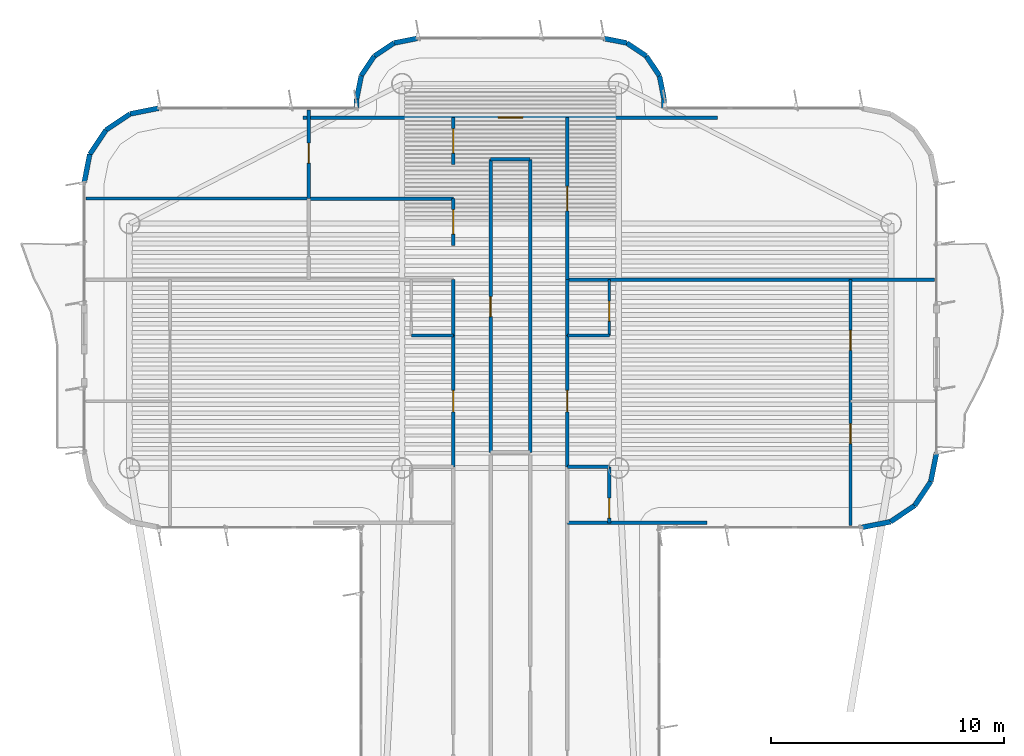
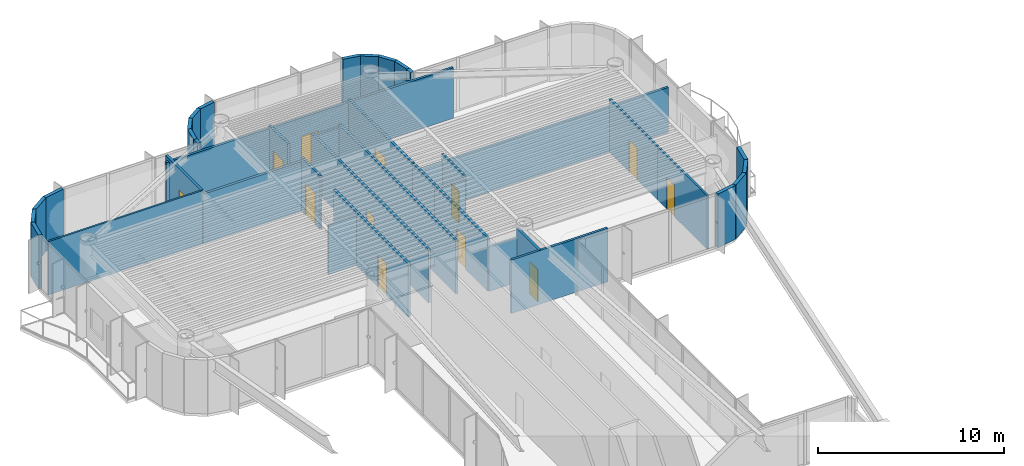
# One storey, part 12 of 15: 41 walls, 12 doors, 12 openings.
"""IFC4 building model written with IfcOpenShell, lengths in metres."""

from ifc_helpers import new_model, si_unit, direction, frame, frame_2d, origin, origin_2d, place, context, subcontext, project, spatial, rectangle, extrude, source, transform, mapped, material, layer, layer_set, type_object, element, fill, save


model = new_model("IFC4")

# Units and contexts
model_context = context("Model", 3, precision=1e-05, world=origin(), true_north=direction((0.0, 1.0)))
body_context = subcontext(model_context, "Body", "Model", "MODEL_VIEW")
ifc_project = project(units=[si_unit("LENGTHUNIT", "METRE"), si_unit("AREAUNIT", "SQUARE_METRE"), si_unit("VOLUMEUNIT", "CUBIC_METRE"), si_unit("PLANEANGLEUNIT", "RADIAN"), si_unit("MASSUNIT", "GRAM", prefix="KILO")], contexts=[model_context])

# Site, building, storey
site_placement = place(None, origin())
site = spatial("IfcSite", under=ifc_project, at=site_placement, CompositionType="ELEMENT")
building_placement = place(site_placement, origin())
building = spatial("IfcBuilding", under=site, at=building_placement, Name="Brelvock Crest Care Tower", CompositionType="ELEMENT")
storey_placement = place(building_placement, frame((0.0, 0.0, 272.159912109375)))
storey = spatial("IfcBuildingStorey", under=building, at=storey_placement, Name="L69", CompositionType="ELEMENT", Elevation=272.159912109375)

# Walls
ifc_material_1 = material(Name="Precast concrete N40 (40 MPa)", Category="concrete")
ifc_layer_1 = layer(ifc_material_1, 0.215087890625, Name="WL-EX2")
ifc_layer_set_1 = layer_set([ifc_layer_1], Name="Precast concrete N40 (40 MPa)")
wall_type_1 = type_object("IfcWallType", Name="WL-EX2", PredefinedType="SOLIDWALL", material=ifc_layer_set_1)
for number, where, z_axis, x_axis, name in (
    (1, (17.699951171875, 56.199951171875, 0.0), (0.0, 0.0, 1.0), (0.195138390419, 0.980775717779, 0.0), "L69 Rounded Corner Wall 18"),
    (2, (17.943603515625, 57.424560546875, 0.0), (0.0, 0.0, 1.0), (0.555557312883, 0.831478245117, 0.0), "L69 Rounded Corner Wall 19"),
    (3, (18.63720703125, 58.462646484375, 0.0), (0.0, 0.0, 1.0), (0.831387912822, 0.555692485475, 0.0), "L69 Rounded Corner Wall 20"),
    (4, (19.67529296875, 59.156494140625, 0.0), (0.0, 0.0, 1.0), (0.980813122964, 0.194950295773, 0.0), "L69 Rounded Corner Wall 21"),
):
    element("IfcWall", number, at=place(storey_placement, frame(where, z_axis=z_axis, x_axis=x_axis)), inside=storey, type_object=wall_type_1, Name=name, PredefinedType="SOLIDWALL", context=body_context, shape_type="SweptSolid", body=[
        extrude(rectangle(XDim=1.24853515625, YDim=0.215087890625, at=frame_2d((0.624267578125, 0.0))), origin(), (0.0, 0.0, 1.0), 3.530029296875),
    ])
wall_1_placement = place(storey_placement, frame((29.39990234375, 59.39990234375, 0.0), z_axis=(0.0, 0.0, 1.0), x_axis=(0.0, 1.0, 0.0)))
element("IfcWall", 5, at=wall_1_placement, inside=storey, type_object=wall_type_1, Name="L69 Rounded Corner Wall 23", PredefinedType="SOLIDWALL", context=body_context, shape_type="SweptSolid", body=[
    extrude(rectangle(XDim=0.400146484375, YDim=0.215087890625, at=frame_2d((0.2001953125, 0.0))), origin(), (0.0, 0.0, 1.0), 3.530029296875),
])
wall_2_placement = place(storey_placement, frame((29.39990234375, 59.800048828125, 0.0), z_axis=(0.0, 0.0, 1.0), x_axis=(0.195190360752, 0.980765376158, 0.0)))
element("IfcWall", 6, at=wall_2_placement, inside=storey, type_object=wall_type_1, Name="L69 Rounded Corner Wall 24", PredefinedType="SOLIDWALL", context=body_context, shape_type="SweptSolid", body=[
    extrude(rectangle(XDim=1.014404296875, YDim=0.215087890625, at=frame_2d((0.50732421875, 0.0))), origin(), (0.0, 0.0, 1.0), 3.530029296875),
])
wall_3_placement = place(storey_placement, frame((29.597900390625, 60.794921875, 0.0), z_axis=(0.0, 0.0, 1.0), x_axis=(0.555643898837, 0.831420385657, 0.0)))
element("IfcWall", 7, at=wall_3_placement, inside=storey, type_object=wall_type_1, Name="L69 Rounded Corner Wall 25", PredefinedType="SOLIDWALL", context=body_context, shape_type="SweptSolid", body=[
    extrude(rectangle(XDim=1.0146484375, YDim=0.215087890625, at=frame_2d((0.50732421875, 0.0))), origin(), (0.0, 0.0, 1.0), 3.530029296875),
])
wall_4_placement = place(storey_placement, frame((30.16162109375, 61.638427734375, 0.0), z_axis=(0.0, 0.0, 1.0), x_axis=(0.831346067305, 0.555755086685, 0.0)))
element("IfcWall", 8, at=wall_4_placement, inside=storey, type_object=wall_type_1, Name="L69 Rounded Corner Wall 26", PredefinedType="SOLIDWALL", context=body_context, shape_type="SweptSolid", body=[
    extrude(rectangle(XDim=1.014404296875, YDim=0.215087890625, at=frame_2d((0.50732421875, 0.0))), origin(), (0.0, 0.0, 1.0), 3.530029296875),
])
for number, where, z_axis, x_axis, name in (
    (9, (31.0048828125, 62.2021484375, 0.0), (0.0, 0.0, 1.0), (0.980820570666, 0.194912821943, 0.0), "L69 Rounded Corner Wall 27"),
    (10, (40.0, 62.39990234375, 0.0), (0.0, 0.0, 1.0), (0.980820570666, -0.194912821943, 0.0), "L69 Rounded Corner Wall 29"),
):
    element("IfcWall", number, at=place(storey_placement, frame(where, z_axis=z_axis, x_axis=x_axis)), inside=storey, type_object=wall_type_1, Name=name, PredefinedType="SOLIDWALL", context=body_context, shape_type="SweptSolid", body=[
        extrude(rectangle(XDim=1.0146484375, YDim=0.215087890625, at=frame_2d((0.50732421875, 0.0))), origin(), (0.0, 0.0, 1.0), 3.530029296875),
    ])
wall_5_placement = place(storey_placement, frame((40.9951171875, 62.2021484375, 0.0), z_axis=(0.0, 0.0, 1.0), x_axis=(0.831346067305, -0.555755086685, 0.0)))
element("IfcWall", 11, at=wall_5_placement, inside=storey, type_object=wall_type_1, Name="L69 Rounded Corner Wall 30", PredefinedType="SOLIDWALL", context=body_context, shape_type="SweptSolid", body=[
    extrude(rectangle(XDim=1.014404296875, YDim=0.215087890625, at=frame_2d((0.50732421875, 0.0))), origin(), (0.0, 0.0, 1.0), 3.530029296875),
])
wall_6_placement = place(storey_placement, frame((41.83837890625, 61.638427734375, 0.0), z_axis=(0.0, 0.0, 1.0), x_axis=(0.555643898837, -0.831420385657, 0.0)))
element("IfcWall", 12, at=wall_6_placement, inside=storey, type_object=wall_type_1, Name="L69 Rounded Corner Wall 31", PredefinedType="SOLIDWALL", context=body_context, shape_type="SweptSolid", body=[
    extrude(rectangle(XDim=1.0146484375, YDim=0.215087890625, at=frame_2d((0.50732421875, 0.0))), origin(), (0.0, 0.0, 1.0), 3.530029296875),
])
wall_7_placement = place(storey_placement, frame((42.402099609375, 60.794921875, 0.0), z_axis=(0.0, 0.0, 1.0), x_axis=(0.195190360752, -0.980765376158, 0.0)))
element("IfcWall", 13, at=wall_7_placement, inside=storey, type_object=wall_type_1, Name="L69 Rounded Corner Wall 32", PredefinedType="SOLIDWALL", context=body_context, shape_type="SweptSolid", body=[
    extrude(rectangle(XDim=1.014404296875, YDim=0.215087890625, at=frame_2d((0.50732421875, 0.0))), origin(), (0.0, 0.0, 1.0), 3.530029296875),
])
wall_8_placement = place(storey_placement, frame((42.60009765625, 59.800048828125, 0.0), z_axis=(0.0, 0.0, 1.0), x_axis=(0.0, -1.0, 0.0)))
element("IfcWall", 14, at=wall_8_placement, inside=storey, type_object=wall_type_1, Name="L69 Rounded Corner Wall 33", PredefinedType="SOLIDWALL", context=body_context, shape_type="SweptSolid", body=[
    extrude(rectangle(XDim=0.400146484375, YDim=0.215087890625, at=frame_2d((0.2001953125, 0.0))), origin(), (0.0, 0.0, 1.0), 3.530029296875),
])
for number, where, z_axis, x_axis, name in (
    (15, (54.300048828125, 44.60009765625, 0.0), (0.0, 0.0, 1.0), (-0.195138390419, -0.980775717779, 0.0), "L69 Rounded Corner Wall 40"),
    (16, (54.056396484375, 43.37548828125, 0.0), (0.0, 0.0, 1.0), (-0.555557312883, -0.831478245117, 0.0), "L69 Rounded Corner Wall 41"),
    (17, (53.36279296875, 42.33740234375, 0.0), (0.0, 0.0, 1.0), (-0.831387912822, -0.555692485475, 0.0), "L69 Rounded Corner Wall 42"),
    (18, (52.32470703125, 41.6435546875, 0.0), (0.0, 0.0, 1.0), (-0.980775717779, -0.195138390419, 0.0), "L69 Rounded Corner Wall 43"),
):
    element("IfcWall", number, at=place(storey_placement, frame(where, z_axis=z_axis, x_axis=x_axis)), inside=storey, type_object=wall_type_1, Name=name, PredefinedType="SOLIDWALL", context=body_context, shape_type="SweptSolid", body=[
        extrude(rectangle(XDim=1.24853515625, YDim=0.215087890625, at=frame_2d((0.624267578125, 0.0))), origin(), (0.0, 0.0, 1.0), 3.530029296875),
    ])
ifc_material_2 = material(Name="Masonry Blockwork Acoustic Partition", Category="masonry")
ifc_layer_2 = layer(ifc_material_2, 0.14990234375, Name="WL-INT1")
ifc_layer_set_2 = layer_set([ifc_layer_2], Name="Masonry Blockwork Acoustic Partition")
wall_type_2 = type_object("IfcWallType", Name="WL-INT1", PredefinedType="PARTITIONING", material=ifc_layer_set_2)
wall_9_placement = place(storey_placement, frame((38.449951171875, 41.60009765625, 0.0), z_axis=(0.0, 0.0, 1.0), x_axis=(1.0, 0.0, 0.0)))
element("IfcWall", 19, at=wall_9_placement, inside=storey, type_object=wall_type_2, Name="L69 Interior Wall WL-BX-L69-FL-EF1-S", PredefinedType="PARTITIONING", context=body_context, shape_type="SweptSolid", body=[
    extrude(rectangle(XDim=5.993408203125, YDim=0.14990234375, at=frame_2d((2.99658203125, 0.0))), origin(), (0.0, 0.0, 1.0), 3.5),
])
wall_10_placement = place(storey_placement, frame((38.449951171875, 52.0400390625, 0.0), z_axis=(0.0, 0.0, 1.0), x_axis=(1.0, 0.0, 0.0)))
element("IfcWall", 20, at=wall_10_placement, inside=storey, type_object=wall_type_2, Name="L69 Interior Wall WL-BX-L69-EFL2-S", PredefinedType="PARTITIONING", context=body_context, shape_type="SweptSolid", body=[
    extrude(rectangle(XDim=15.77001953125, YDim=0.14990234375, at=frame_2d((7.885009765625, 0.0))), origin(), (0.0, 0.0, 1.0), 2.982177734375),
])
wall_11_placement = place(storey_placement, frame((27.35009765625, 55.52001953125, 0.0), z_axis=(0.0, 0.0, 1.0), x_axis=(1.0, 0.0, 0.0)))
element("IfcWall", 21, at=wall_11_placement, inside=storey, type_object=wall_type_2, Name="L69 Interior Wall WL-BX-L69-CS-WFC2A-N", PredefinedType="PARTITIONING", context=body_context, shape_type="SweptSolid", body=[
    extrude(rectangle(XDim=6.199951171875, YDim=0.14990234375, at=frame_2d((3.10009765625, 0.0))), origin(), (0.0, 0.0, 1.0), 3.259033203125),
])
wall_12_placement = place(storey_placement, frame((35.14990234375, 57.199951171875, 0.0), z_axis=(0.0, 0.0, 1.0), x_axis=(1.0, 0.0, 0.0)))
element("IfcWall", 22, at=wall_12_placement, inside=storey, type_object=wall_type_2, Name="L69 Interior Wall WL-BX-L69-ISKT-N", PredefinedType="PARTITIONING", context=body_context, shape_type="SweptSolid", body=[
    extrude(rectangle(XDim=1.7001953125, YDim=0.14990234375, at=frame_2d((0.85009765625, 0.0))), origin(), (0.0, 0.0, 1.0), 3.30810546875),
])

# Wall, opening, door
wall_13_placement = place(storey_placement, frame((27.10009765625, 59.0, 0.0), z_axis=(0.0, 0.0, 1.0), x_axis=(1.0, 0.0, 0.0)))
wall_13 = element("IfcWall", 23, at=wall_13_placement, inside=storey, type_object=wall_type_2, Name="L69 Interior Wall WL-RM-L69-NHUB", PredefinedType="PARTITIONING", context=body_context, shape_type="SweptSolid", body=[
    extrude(rectangle(XDim=17.7998046875, YDim=0.14990234375, at=frame_2d((8.89990234375, 0.0))), origin(), (0.0, 0.0, 1.0), 3.30810546875),
])
opening_1_placement = place(wall_13_placement, frame((8.375, 0.0, 0.0)))
opening_1 = element("IfcOpeningElement", 24, at=opening_1_placement, cuts=wall_13, Name="Opening CLD-1", PredefinedType="OPENING", context=body_context, shape_type="SweptSolid", body=[
    extrude(rectangle(XDim=1.050048828125, YDim=2.10009765625, at=origin_2d()), frame((0.52490234375, 0.0849609375, 1.050048828125), z_axis=(0.0, -1.0, 0.0), x_axis=(1.0, 0.0, 0.0)), (0.0, 0.0, 1.0), 0.169921875),
])
ifc_material_3 = material(Name="Engineered Hardwood Timber", Category="wood")
door_type_1 = type_object("IfcDoorType", Name="DR-CLN1", OperationType="NOTDEFINED", PredefinedType="DOOR", material=ifc_material_3)
shared_shape_1 = source(origin(), body_context, "Body", "SweptSolid", [
    extrude(rectangle(XDim=1.050048828125, YDim=2.10009765625, at=origin_2d()), frame((0.52490234375, 0.02490234375, 1.050048828125), z_axis=(0.0, -1.0, 0.0), x_axis=(1.0, 0.0, 0.0)), (0.0, 0.0, 1.0), 0.050048828125),
])
door_1_placement = place(opening_1_placement, origin())
door_1 = element("IfcDoor", 25, at=door_1_placement, inside=storey, type_object=door_type_1, Name="L69 Harbour Lookout Dining Salon Door NHUB", OperationType="SINGLE_SWING_LEFT", OverallHeight=2.10009765625, OverallWidth=1.050048828125, PredefinedType="DOOR", context=body_context, shape_type="MappedRepresentation", body=[
    mapped(shared_shape_1, transform((0.0, 0.0, 0.0), x_axis=(1.0, 0.0, 0.0), y_axis=(0.0, 1.0, 0.0), z_axis=(0.0, 0.0, 1.0), scale=1.0)),
])
fill(opening_1, door_1)

wall_14_placement = place(storey_placement, frame((27.35009765625, 55.52001953125, 0.0), z_axis=(0.0, 0.0, 1.0), x_axis=(0.0, 1.0, 0.0)))
wall_14 = element("IfcWall", 26, at=wall_14_placement, inside=storey, type_object=wall_type_2, Name="L69 Interior Wall WL-RM-L69-WFC2BS", PredefinedType="PARTITIONING", context=body_context, shape_type="SweptSolid", body=[
    extrude(rectangle(XDim=3.802490234375, YDim=0.14990234375, at=frame_2d((1.9013671875, 0.0))), origin(), (0.0, 0.0, 1.0), 3.5),
])
opening_2_placement = place(wall_14_placement, frame((1.52001953125, 0.0, 0.0)))
opening_2 = element("IfcOpeningElement", 27, at=opening_2_placement, cuts=wall_14, Name="Opening ID-1", PredefinedType="OPENING", context=body_context, shape_type="SweptSolid", body=[
    extrude(rectangle(XDim=0.860107421875, YDim=2.10009765625, at=origin_2d()), frame((0.43017578125, 0.0849609375, 1.050048828125), z_axis=(0.0, -1.0, 0.0), x_axis=(1.0, 0.0, 0.0)), (0.0, 0.0, 1.0), 0.169921875),
])
door_type_2 = type_object("IfcDoorType", Name="DR-INT1", OperationType="NOTDEFINED", PredefinedType="DOOR", material=ifc_material_3)
shared_shape_2 = source(origin(), body_context, "Body", "SweptSolid", [
    extrude(rectangle(XDim=0.860107421875, YDim=2.10009765625, at=origin_2d()), frame((0.43017578125, 0.02490234375, 1.050048828125), z_axis=(0.0, -1.0, 0.0), x_axis=(1.0, 0.0, 0.0)), (0.0, 0.0, 1.0), 0.050048828125),
])
door_2_placement = place(opening_2_placement, origin())
door_2 = element("IfcDoor", 28, at=door_2_placement, inside=storey, type_object=door_type_2, Name="L69 Assisted Care Mobility Store Door WFC2BS", OperationType="SINGLE_SWING_LEFT", OverallHeight=2.10009765625, OverallWidth=0.860107421875, PredefinedType="DOOR", context=body_context, shape_type="MappedRepresentation", body=[
    mapped(shared_shape_2, transform((0.0, 0.0, 0.0), x_axis=(1.0, 0.0, 0.0), y_axis=(0.0, 1.0, 0.0), z_axis=(0.0, 0.0, 1.0), scale=1.0)),
])
fill(opening_2, door_2)

wall_15_placement = place(storey_placement, frame((33.550048828125, 44.0, 0.0), z_axis=(0.0, 0.0, 1.0), x_axis=(0.0, 1.0, 0.0)))
wall_15 = element("IfcWall", 29, at=wall_15_placement, inside=storey, type_object=wall_type_2, Name="L69 Interior Wall WL-UENT-L69-WF1", PredefinedType="PARTITIONING", context=body_context, shape_type="SweptSolid", body=[
    extrude(rectangle(XDim=5.639892578125, YDim=0.14990234375, at=frame_2d((2.81982421875, 0.0))), origin(), (0.0, 0.0, 1.0), 3.5),
])
opening_3_placement = place(wall_15_placement, frame((2.360107421875, 0.0, 0.0)))
opening_3 = element("IfcOpeningElement", 30, at=opening_3_placement, cuts=wall_15, Name="Opening AD-1", PredefinedType="OPENING", context=body_context, shape_type="SweptSolid", body=[
    extrude(rectangle(XDim=0.919921875, YDim=2.10009765625, at=origin_2d()), frame((0.4599609375, 0.0849609375, 1.050048828125), z_axis=(0.0, -1.0, 0.0), x_axis=(1.0, 0.0, 0.0)), (0.0, 0.0, 1.0), 0.169921875),
])
door_type_3 = type_object("IfcDoorType", Name="DR-APT1", OperationType="NOTDEFINED", PredefinedType="DOOR", material=ifc_material_3)
shared_shape_3 = source(origin(), body_context, "Body", "SweptSolid", [
    extrude(rectangle(XDim=0.919921875, YDim=2.10009765625, at=origin_2d()), frame((0.4599609375, 0.02490234375, 1.050048828125), z_axis=(0.0, -1.0, 0.0), x_axis=(1.0, 0.0, 0.0)), (0.0, 0.0, 1.0), 0.050048828125),
])
door_3_placement = place(opening_3_placement, origin())
door_3 = element("IfcDoor", 31, at=door_3_placement, inside=storey, type_object=door_type_3, Name="L69 Apartment Entrance WF1", OperationType="SINGLE_SWING_LEFT", OverallHeight=2.10009765625, OverallWidth=0.919921875, PredefinedType="DOOR", context=body_context, shape_type="MappedRepresentation", body=[
    mapped(shared_shape_3, transform((0.0, 0.0, 0.0), x_axis=(1.0, 0.0, 0.0), y_axis=(0.0, 1.0, 0.0), z_axis=(0.0, 0.0, 1.0), scale=1.0)),
])
fill(opening_3, door_3)

# Wall
wall_16_placement = place(storey_placement, frame((33.550048828125, 49.639892578125, 0.0), z_axis=(0.0, 0.0, 1.0), x_axis=(0.0, 1.0, 0.0)))
element("IfcWall", 32, at=wall_16_placement, inside=storey, type_object=wall_type_2, Name="L69 Interior Wall WL-UCK-L69-WF1", PredefinedType="PARTITIONING", context=body_context, shape_type="SweptSolid", body=[
    extrude(rectangle(XDim=2.400146484375, YDim=0.14990234375, at=frame_2d((1.2001953125, 0.0))), origin(), (0.0, 0.0, 1.0), 3.5),
])

# Wall, opening, door
wall_17_placement = place(storey_placement, frame((33.550048828125, 53.501953125, 0.0), z_axis=(0.0, 0.0, 1.0), x_axis=(0.0, 1.0, 0.0)))
wall_17 = element("IfcWall", 33, at=wall_17_placement, inside=storey, type_object=wall_type_2, Name="L69 Interior Wall WL-CENT-L69-WFC2A", PredefinedType="PARTITIONING", context=body_context, shape_type="SweptSolid", body=[
    extrude(rectangle(XDim=2.01806640625, YDim=0.14990234375, at=frame_2d((1.009033203125, 0.0))), origin(), (0.0, 0.0, 1.0), 3.5),
])
opening_4_placement = place(wall_17_placement, frame((0.489013671875, 0.0, 0.0)))
opening_4 = element("IfcOpeningElement", 34, at=opening_4_placement, cuts=wall_17, Name="Opening CD-1", PredefinedType="OPENING", context=body_context, shape_type="SweptSolid", body=[
    extrude(rectangle(XDim=1.050048828125, YDim=2.10009765625, at=origin_2d()), frame((0.52490234375, 0.0849609375, 1.050048828125), z_axis=(0.0, -1.0, 0.0), x_axis=(1.0, 0.0, 0.0)), (0.0, 0.0, 1.0), 0.169921875),
])
door_type_4 = type_object("IfcDoorType", Name="DR-CARE1", OperationType="NOTDEFINED", PredefinedType="DOOR", material=ifc_material_3)
shared_shape_4 = source(origin(), body_context, "Body", "SweptSolid", [
    extrude(rectangle(XDim=1.050048828125, YDim=2.10009765625, at=origin_2d()), frame((0.52490234375, 0.02490234375, 1.050048828125), z_axis=(0.0, -1.0, 0.0), x_axis=(1.0, 0.0, 0.0)), (0.0, 0.0, 1.0), 0.050048828125),
])
door_4_placement = place(opening_4_placement, origin())
door_4 = element("IfcDoor", 35, at=door_4_placement, inside=storey, type_object=door_type_4, Name="L69 Care Suite Door WFC2A", OperationType="SINGLE_SWING_LEFT", OverallHeight=2.10009765625, OverallWidth=1.050048828125, PredefinedType="DOOR", context=body_context, shape_type="MappedRepresentation", body=[
    mapped(shared_shape_4, transform((0.0, 0.0, 0.0), x_axis=(1.0, 0.0, 0.0), y_axis=(0.0, 1.0, 0.0), z_axis=(0.0, 0.0, 1.0), scale=1.0)),
])
fill(opening_4, door_4)

wall_18_placement = place(storey_placement, frame((33.550048828125, 56.98193359375, 0.0), z_axis=(0.0, 0.0, 1.0), x_axis=(0.0, 1.0, 0.0)))
wall_18 = element("IfcWall", 36, at=wall_18_placement, inside=storey, type_object=wall_type_2, Name="L69 Interior Wall WL-CENT-L69-WFC2B", PredefinedType="PARTITIONING", context=body_context, shape_type="SweptSolid", body=[
    extrude(rectangle(XDim=2.01806640625, YDim=0.14990234375, at=frame_2d((1.009033203125, 0.0))), origin(), (0.0, 0.0, 1.0), 3.5),
])
opening_5_placement = place(wall_18_placement, frame((0.489013671875, 0.0, 0.0)))
opening_5 = element("IfcOpeningElement", 37, at=opening_5_placement, cuts=wall_18, Name="Opening CD-1", PredefinedType="OPENING", context=body_context, shape_type="SweptSolid", body=[
    extrude(rectangle(XDim=1.050048828125, YDim=2.10009765625, at=origin_2d()), frame((0.52490234375, 0.0849609375, 1.050048828125), z_axis=(0.0, -1.0, 0.0), x_axis=(1.0, 0.0, 0.0)), (0.0, 0.0, 1.0), 0.169921875),
])
door_5_placement = place(opening_5_placement, origin())
door_5 = element("IfcDoor", 38, at=door_5_placement, inside=storey, type_object=door_type_4, Name="L69 Care Suite Door WFC2B", OperationType="SINGLE_SWING_LEFT", OverallHeight=2.10009765625, OverallWidth=1.050048828125, PredefinedType="DOOR", context=body_context, shape_type="MappedRepresentation", body=[
    mapped(shared_shape_4, transform((0.0, 0.0, 0.0), x_axis=(1.0, 0.0, 0.0), y_axis=(0.0, 1.0, 0.0), z_axis=(0.0, 0.0, 1.0), scale=1.0)),
])
fill(opening_5, door_5)

wall_19_placement = place(storey_placement, frame((35.14990234375, 44.6201171875, 0.0), z_axis=(0.0, 0.0, 1.0), x_axis=(0.0, 1.0, 0.0)))
wall_19 = element("IfcWall", 39, at=wall_19_placement, inside=storey, type_object=wall_type_2, Name="L69 Interior Wall WL-RM-L69-ISKT", PredefinedType="PARTITIONING", context=body_context, shape_type="SweptSolid", body=[
    extrude(rectangle(XDim=12.579833984375, YDim=0.14990234375, at=frame_2d((6.2900390625, 0.0))), origin(), (0.0, 0.0, 1.0), 3.5),
])
opening_6_placement = place(wall_19_placement, frame((5.830078125, 0.0, 0.0)))
opening_6 = element("IfcOpeningElement", 40, at=opening_6_placement, cuts=wall_19, Name="Opening ID-1", PredefinedType="OPENING", context=body_context, shape_type="SweptSolid", body=[
    extrude(rectangle(XDim=0.860107421875, YDim=2.10009765625, at=origin_2d()), frame((0.43017578125, 0.0849609375, 1.050048828125), z_axis=(0.0, -1.0, 0.0), x_axis=(1.0, 0.0, 0.0)), (0.0, 0.0, 1.0), 0.169921875),
])
door_6_placement = place(opening_6_placement, origin())
door_6 = element("IfcDoor", 41, at=door_6_placement, inside=storey, type_object=door_type_2, Name="L69 Communal Tea and Nutrition Pantry Door ISKT", OperationType="SINGLE_SWING_LEFT", OverallHeight=2.10009765625, OverallWidth=0.860107421875, PredefinedType="DOOR", context=body_context, shape_type="MappedRepresentation", body=[
    mapped(shared_shape_2, transform((0.0, 0.0, 0.0), x_axis=(1.0, 0.0, 0.0), y_axis=(0.0, 1.0, 0.0), z_axis=(0.0, 0.0, 1.0), scale=1.0)),
])
fill(opening_6, door_6)

# Wall
wall_20_placement = place(storey_placement, frame((36.85009765625, 44.6201171875, 0.0), z_axis=(0.0, 0.0, 1.0), x_axis=(0.0, 1.0, 0.0)))
element("IfcWall", 42, at=wall_20_placement, inside=storey, type_object=wall_type_2, Name="L69 Interior Wall WL-BX-L69-ISKT-E", PredefinedType="PARTITIONING", context=body_context, shape_type="SweptSolid", body=[
    extrude(rectangle(XDim=12.579833984375, YDim=0.14990234375, at=frame_2d((6.2900390625, 0.0))), origin(), (0.0, 0.0, 1.0), 3.5),
])

# Wall, opening, door
wall_21_placement = place(storey_placement, frame((38.449951171875, 44.0, 0.0), z_axis=(0.0, 0.0, 1.0), x_axis=(0.0, 1.0, 0.0)))
wall_21 = element("IfcWall", 43, at=wall_21_placement, inside=storey, type_object=wall_type_2, Name="L69 Interior Wall WL-UENT-L69-EF1", PredefinedType="PARTITIONING", context=body_context, shape_type="SweptSolid", body=[
    extrude(rectangle(XDim=5.639892578125, YDim=0.14990234375, at=frame_2d((2.81982421875, 0.0))), origin(), (0.0, 0.0, 1.0), 3.5),
])
opening_7_placement = place(wall_21_placement, frame((2.360107421875, 0.0, 0.0)))
opening_7 = element("IfcOpeningElement", 44, at=opening_7_placement, cuts=wall_21, Name="Opening AD-1", PredefinedType="OPENING", context=body_context, shape_type="SweptSolid", body=[
    extrude(rectangle(XDim=0.919921875, YDim=2.10009765625, at=origin_2d()), frame((0.4599609375, 0.0849609375, 1.050048828125), z_axis=(0.0, -1.0, 0.0), x_axis=(1.0, 0.0, 0.0)), (0.0, 0.0, 1.0), 0.169921875),
])
door_7_placement = place(opening_7_placement, origin())
door_7 = element("IfcDoor", 45, at=door_7_placement, inside=storey, type_object=door_type_3, Name="L69 Apartment Entrance EF1", OperationType="SINGLE_SWING_LEFT", OverallHeight=2.10009765625, OverallWidth=0.919921875, PredefinedType="DOOR", context=body_context, shape_type="MappedRepresentation", body=[
    mapped(shared_shape_3, transform((0.0, 0.0, 0.0), x_axis=(1.0, 0.0, 0.0), y_axis=(0.0, 1.0, 0.0), z_axis=(0.0, 0.0, 1.0), scale=1.0)),
])
fill(opening_7, door_7)

# Wall
wall_22_placement = place(storey_placement, frame((38.449951171875, 49.639892578125, 0.0), z_axis=(0.0, 0.0, 1.0), x_axis=(0.0, 1.0, 0.0)))
element("IfcWall", 46, at=wall_22_placement, inside=storey, type_object=wall_type_2, Name="L69 Interior Wall WL-UCK-L69-EF1", PredefinedType="PARTITIONING", context=body_context, shape_type="SweptSolid", body=[
    extrude(rectangle(XDim=2.400146484375, YDim=0.14990234375, at=frame_2d((1.2001953125, 0.0))), origin(), (0.0, 0.0, 1.0), 3.5),
])

# Wall, opening, door
wall_23_placement = place(storey_placement, frame((38.449951171875, 52.0400390625, 0.0), z_axis=(0.0, 0.0, 1.0), x_axis=(0.0, 1.0, 0.0)))
wall_23 = element("IfcWall", 47, at=wall_23_placement, inside=storey, type_object=wall_type_2, Name="L69 Interior Wall WL-RM-L69-EFL2", PredefinedType="PARTITIONING", context=body_context, shape_type="SweptSolid", body=[
    extrude(rectangle(XDim=6.9599609375, YDim=0.14990234375, at=frame_2d((3.47998046875, 0.0))), origin(), (0.0, 0.0, 1.0), 3.5),
])
opening_8_placement = place(wall_23_placement, frame((2.955078125, 0.0, 0.0)))
opening_8 = element("IfcOpeningElement", 48, at=opening_8_placement, cuts=wall_23, Name="Opening CLD-1", PredefinedType="OPENING", context=body_context, shape_type="SweptSolid", body=[
    extrude(rectangle(XDim=1.050048828125, YDim=2.10009765625, at=origin_2d()), frame((0.52490234375, 0.0849609375, 1.050048828125), z_axis=(0.0, -1.0, 0.0), x_axis=(1.0, 0.0, 0.0)), (0.0, 0.0, 1.0), 0.169921875),
])
door_8_placement = place(opening_8_placement, origin())
door_8 = element("IfcDoor", 49, at=door_8_placement, inside=storey, type_object=door_type_1, Name="L69 Sky Neighbourhood Drawing Room Door EFL2", OperationType="SINGLE_SWING_LEFT", OverallHeight=2.10009765625, OverallWidth=1.050048828125, PredefinedType="DOOR", context=body_context, shape_type="MappedRepresentation", body=[
    mapped(shared_shape_1, transform((0.0, 0.0, 0.0), x_axis=(1.0, 0.0, 0.0), y_axis=(0.0, 1.0, 0.0), z_axis=(0.0, 0.0, 1.0), scale=1.0)),
])
fill(opening_8, door_8)

# Walls
ifc_material_4 = material(Name="Gypsum Plasterboard Partition", Category="gypsum")
ifc_layer_3 = layer(ifc_material_4, 0.1201171875, Name="WL-INT2")
ifc_layer_set_3 = layer_set([ifc_layer_3], Name="Gypsum Plasterboard Partition")
wall_type_3 = type_object("IfcWallType", Name="WL-INT2", PredefinedType="PARTITIONING", material=ifc_layer_set_3)
for number, where, z_axis, x_axis, name in (
    (50, (31.75, 49.639892578125, 0.0), (0.0, 0.0, 1.0), (1.0, 0.0, 0.0), "L69 Interior Wall WL-UKIT2-L69-WF1"),
    (51, (38.449951171875, 49.639892578125, 0.0), (0.0, 0.0, 1.0), (1.0, 0.0, 0.0), "L69 Interior Wall WL-UKIT2-L69-EF1"),
):
    element("IfcWall", number, at=place(storey_placement, frame(where, z_axis=z_axis, x_axis=x_axis)), inside=storey, type_object=wall_type_3, Name=name, PredefinedType="PARTITIONING", context=body_context, shape_type="SweptSolid", body=[
        extrude(rectangle(XDim=1.800048828125, YDim=0.1201171875, at=frame_2d((0.89990234375, 0.0))), origin(), (0.0, 0.0, 1.0), 3.259033203125),
    ])
wall_24_placement = place(storey_placement, frame((17.780029296875, 55.52001953125, 0.0), z_axis=(0.0, 0.0, 1.0), x_axis=(1.0, 0.0, 0.0)))
element("IfcWall", 52, at=wall_24_placement, inside=storey, type_object=wall_type_3, Name="L69 Interior Wall WL-BX-L69-WFC2AS-N", PredefinedType="PARTITIONING", context=body_context, shape_type="SweptSolid", body=[
    extrude(rectangle(XDim=9.570068359375, YDim=0.1201171875, at=frame_2d((4.78515625, 0.0))), origin(), (0.0, 0.0, 1.0), 3.5),
])

# Wall, opening, door
wall_25_placement = place(storey_placement, frame((40.25, 49.639892578125, 0.0), z_axis=(0.0, 0.0, 1.0), x_axis=(0.0, 1.0, 0.0)))
wall_25 = element("IfcWall", 53, at=wall_25_placement, inside=storey, type_object=wall_type_3, Name="L69 Interior Wall WL-UKIT1-L69-EF1", PredefinedType="PARTITIONING", context=body_context, shape_type="SweptSolid", body=[
    extrude(rectangle(XDim=2.400146484375, YDim=0.1201171875, at=frame_2d((1.2001953125, 0.0))), origin(), (0.0, 0.0, 1.0), 3.5),
])
opening_9_placement = place(wall_25_placement, frame((0.6201171875, 0.0, 0.0)))
opening_9 = element("IfcOpeningElement", 54, at=opening_9_placement, cuts=wall_25, Name="Opening ID-1", PredefinedType="OPENING", context=body_context, shape_type="SweptSolid", body=[
    extrude(rectangle(XDim=0.860107421875, YDim=2.10009765625, at=origin_2d()), frame((0.43017578125, 0.070068359375, 1.050048828125), z_axis=(0.0, -1.0, 0.0), x_axis=(1.0, 0.0, 0.0)), (0.0, 0.0, 1.0), 0.14013671875),
])
door_9_placement = place(opening_9_placement, origin())
door_9 = element("IfcDoor", 55, at=door_9_placement, inside=storey, type_object=door_type_2, Name="L69 Kitchen Door EF1", OperationType="SINGLE_SWING_RIGHT", OverallHeight=2.10009765625, OverallWidth=0.860107421875, PredefinedType="DOOR", context=body_context, shape_type="MappedRepresentation", body=[
    mapped(shared_shape_2, transform((0.0, 0.0, 0.0), x_axis=(1.0, 0.0, 0.0), y_axis=(0.0, 1.0, 0.0), z_axis=(0.0, 0.0, 1.0), scale=1.0)),
])
fill(opening_9, door_9)

wall_26_placement = place(storey_placement, frame((50.610107421875, 41.47998046875, 0.0), z_axis=(0.0, 0.0, 1.0), x_axis=(0.0, 1.0, 0.0)))
wall_26 = element("IfcWall", 56, at=wall_26_placement, inside=storey, type_object=wall_type_3, Name="L69 Interior Wall WL-UBD1-L69-EF1", PredefinedType="PARTITIONING", context=body_context, shape_type="SweptSolid", body=[
    extrude(rectangle(XDim=5.340087890625, YDim=0.1201171875, at=frame_2d((2.669921875, 0.0))), origin(), (0.0, 0.0, 1.0), 3.5),
])
opening_10_placement = place(wall_26_placement, frame((3.52001953125, 0.0, 0.0)))
opening_10 = element("IfcOpeningElement", 57, at=opening_10_placement, cuts=wall_26, Name="Opening ID-1", PredefinedType="OPENING", context=body_context, shape_type="SweptSolid", body=[
    extrude(rectangle(XDim=0.860107421875, YDim=2.10009765625, at=origin_2d()), frame((0.43017578125, 0.070068359375, 1.050048828125), z_axis=(0.0, -1.0, 0.0), x_axis=(1.0, 0.0, 0.0)), (0.0, 0.0, 1.0), 0.14013671875),
])
door_10_placement = place(opening_10_placement, origin())
door_10 = element("IfcDoor", 58, at=door_10_placement, inside=storey, type_object=door_type_2, Name="L69 Primary Bedroom Door EF1", OperationType="SINGLE_SWING_RIGHT", OverallHeight=2.10009765625, OverallWidth=0.860107421875, PredefinedType="DOOR", context=body_context, shape_type="MappedRepresentation", body=[
    mapped(shared_shape_2, transform((0.0, 0.0, 0.0), x_axis=(1.0, 0.0, 0.0), y_axis=(0.0, 1.0, 0.0), z_axis=(0.0, 0.0, 1.0), scale=1.0)),
])
fill(opening_10, door_10)

wall_27_placement = place(storey_placement, frame((50.610107421875, 46.820068359375, 0.0), z_axis=(0.0, 0.0, 1.0), x_axis=(0.0, 1.0, 0.0)))
wall_27 = element("IfcWall", 59, at=wall_27_placement, inside=storey, type_object=wall_type_3, Name="L69 Interior Wall WL-UBD2-L69-EF1", PredefinedType="PARTITIONING", context=body_context, shape_type="SweptSolid", body=[
    extrude(rectangle(XDim=5.219970703125, YDim=0.1201171875, at=frame_2d((2.60986328125, 0.0))), origin(), (0.0, 0.0, 1.0), 3.5),
])
opening_11_placement = place(wall_27_placement, frame((2.179931640625, 0.0, 0.0)))
opening_11 = element("IfcOpeningElement", 60, at=opening_11_placement, cuts=wall_27, Name="Opening ID-1", PredefinedType="OPENING", context=body_context, shape_type="SweptSolid", body=[
    extrude(rectangle(XDim=0.860107421875, YDim=2.10009765625, at=origin_2d()), frame((0.43017578125, 0.070068359375, 1.050048828125), z_axis=(0.0, -1.0, 0.0), x_axis=(1.0, 0.0, 0.0)), (0.0, 0.0, 1.0), 0.14013671875),
])
door_11_placement = place(opening_11_placement, origin())
door_11 = element("IfcDoor", 61, at=door_11_placement, inside=storey, type_object=door_type_2, Name="L69 Second Room Door EF1", OperationType="SINGLE_SWING_LEFT", OverallHeight=2.10009765625, OverallWidth=0.860107421875, PredefinedType="DOOR", context=body_context, shape_type="MappedRepresentation", body=[
    mapped(shared_shape_2, transform((0.0, 0.0, 0.0), x_axis=(1.0, 0.0, 0.0), y_axis=(0.0, 1.0, 0.0), z_axis=(0.0, 0.0, 1.0), scale=1.0)),
])
fill(opening_11, door_11)

# Wall
ifc_layer_4 = layer(ifc_material_4, 0.159912109375, Name="WL-PLM1")
ifc_layer_set_4 = layer_set([ifc_layer_4], Name="Gypsum Plasterboard Partition")
wall_type_4 = type_object("IfcWallType", Name="WL-PLM1", PredefinedType="PLUMBINGWALL", material=ifc_layer_set_4)
wall_28_placement = place(storey_placement, frame((38.449951171875, 44.0, 0.0), z_axis=(0.0, 0.0, 1.0), x_axis=(1.0, 0.0, 0.0)))
element("IfcWall", 62, at=wall_28_placement, inside=storey, type_object=wall_type_4, Name="L69 Interior Wall WL-UBTH2-L69-EF1", PredefinedType="PLUMBINGWALL", context=body_context, shape_type="SweptSolid", body=[
    extrude(rectangle(XDim=1.800048828125, YDim=0.159912109375, at=frame_2d((0.89990234375, 0.0))), origin(), (0.0, 0.0, 1.0), 2.903076171875),
])

# Wall, opening, door
wall_29_placement = place(storey_placement, frame((40.25, 41.60009765625, 0.0), z_axis=(0.0, 0.0, 1.0), x_axis=(0.0, 1.0, 0.0)))
wall_29 = element("IfcWall", 63, at=wall_29_placement, inside=storey, type_object=wall_type_4, Name="L69 Interior Wall WL-UBTH1-L69-EF1", PredefinedType="PLUMBINGWALL", context=body_context, shape_type="SweptSolid", body=[
    extrude(rectangle(XDim=2.39990234375, YDim=0.159912109375, at=frame_2d((1.199951171875, 0.0))), origin(), (0.0, 0.0, 1.0), 3.5),
])
opening_12_placement = place(wall_29_placement, frame((0.199951171875, 0.0, 0.0)))
opening_12 = element("IfcOpeningElement", 64, at=opening_12_placement, cuts=wall_29, Name="Opening WD-1", PredefinedType="OPENING", context=body_context, shape_type="SweptSolid", body=[
    extrude(rectangle(XDim=0.860107421875, YDim=2.10009765625, at=origin_2d()), frame((0.43017578125, 0.08984375, 1.050048828125), z_axis=(0.0, -1.0, 0.0), x_axis=(1.0, 0.0, 0.0)), (0.0, 0.0, 1.0), 0.179931640625),
])
door_type_5 = type_object("IfcDoorType", Name="DR-WC1", OperationType="NOTDEFINED", PredefinedType="DOOR", material=ifc_material_3)
shared_shape_5 = source(origin(), body_context, "Body", "SweptSolid", [
    extrude(rectangle(XDim=0.860107421875, YDim=2.10009765625, at=origin_2d()), frame((0.43017578125, 0.02490234375, 1.050048828125), z_axis=(0.0, -1.0, 0.0), x_axis=(1.0, 0.0, 0.0)), (0.0, 0.0, 1.0), 0.050048828125),
])
door_12_placement = place(opening_12_placement, origin())
door_12 = element("IfcDoor", 65, at=door_12_placement, inside=storey, type_object=door_type_5, Name="L69 Bathroom Door EF1", OperationType="SINGLE_SWING_LEFT", OverallHeight=2.10009765625, OverallWidth=0.860107421875, PredefinedType="DOOR", context=body_context, shape_type="MappedRepresentation", body=[
    mapped(shared_shape_5, transform((0.0, 0.0, 0.0), x_axis=(1.0, 0.0, 0.0), y_axis=(0.0, 1.0, 0.0), z_axis=(0.0, 0.0, 1.0), scale=1.0)),
])
fill(opening_12, door_12)

save(model, "model.ifc")
